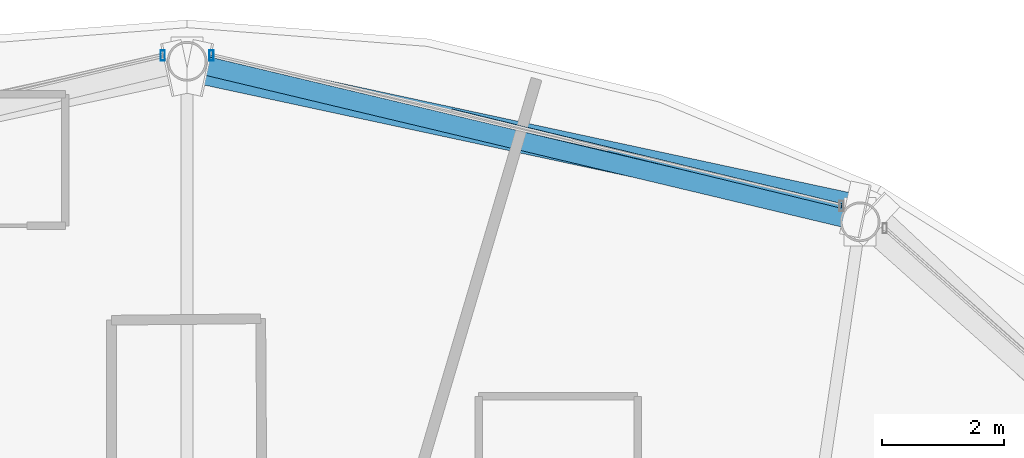
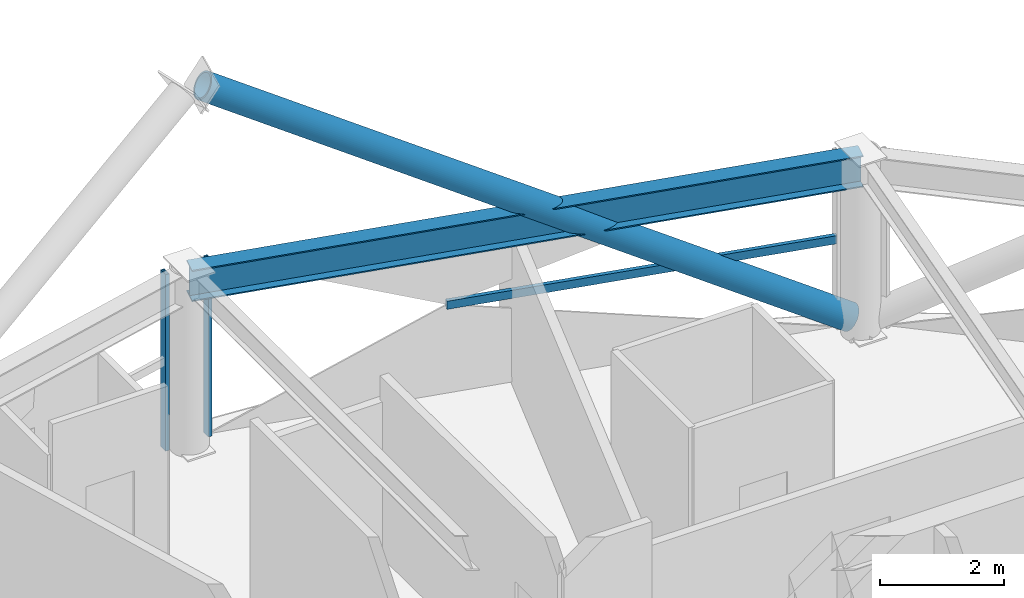
# One storey, part 18 of 29: 4 members, 1 beam, 2 elements without a shape of their own.
"""IFC4 building model written with IfcOpenShell, lengths in metres."""

from ifc_helpers import new_model, si_unit, direction, frame, origin, origin_2d, place, context, subcontext, project, spatial, hollow_rectangle, hollow_circle, i_section, extrude, material, layer, layer_set, material_profile, profile_set, type_object, element, aggregate, save


model = new_model("IFC4")

# Units and contexts
model_context = context("Model", 3, precision=1e-05, world=origin(), true_north=direction((0.0, 1.0)))
body_context = subcontext(model_context, "Body", "Model", "MODEL_VIEW")
ifc_project = project(units=[si_unit("LENGTHUNIT", "METRE"), si_unit("AREAUNIT", "SQUARE_METRE"), si_unit("VOLUMEUNIT", "CUBIC_METRE"), si_unit("PLANEANGLEUNIT", "RADIAN"), si_unit("MASSUNIT", "GRAM", prefix="KILO")], contexts=[model_context])

# Site, building, storey
site_placement = place(None, origin())
site = spatial("IfcSite", under=ifc_project, at=site_placement, CompositionType="ELEMENT")
building_placement = place(site_placement, origin())
building = spatial("IfcBuilding", under=site, at=building_placement, Name="Vantalir Tower", CompositionType="ELEMENT")
storey_placement = place(building_placement, frame((0.0, 0.0, 227.39990234375)))
storey = spatial("IfcBuildingStorey", under=building, at=storey_placement, Name="L57", CompositionType="ELEMENT", Elevation=227.39990234375)

# Beam
ifc_material_1 = material(Name="Steel S460", Category="steel")
ifc_material_profile_1 = material_profile(ifc_material_1, i_section(OverallWidth=0.306884765625, OverallDepth=0.6201171875, WebThickness=0.01416015625, FlangeThickness=0.023681640625, at=origin_2d()), Name="Steel S460")
ifc_profile_set_1 = profile_set([ifc_material_profile_1], Name="Steel S460")
beam_type = type_object("IfcBeamType", Name="BM-RG-610x305", PredefinedType="USERDEFINED", material=ifc_profile_set_1)
beam_placement = place(storey_placement, frame((42.506103515625, 41.970947265625, 3.260009765625), z_axis=(-0.972716546071, 0.231996812479, 0.0), x_axis=(-0.231996812479, -0.972716546071, 0.0)))
element("IfcBeam", 1, at=beam_placement, inside=storey, type_object=beam_type, Name="L57 Circumferential Ring Girder 03", ObjectType="GIRDER", PredefinedType="USERDEFINED", context=body_context, shape_type="SweptSolid", body=[
    extrude(i_section(OverallWidth=0.306884765625, OverallDepth=0.6201171875, WebThickness=0.01416015625, FlangeThickness=0.023681640625, at=origin_2d()), origin(), (0.0, 0.0, 1.0), 11.314697265625),
])

# Curtain wall, member
ifc_material_2 = material(Name="Champagne-silver PVDF aluminium and double-silver Low-E glass", Category="aluminium")
ifc_layer = layer(ifc_material_2, 0.2099609375)
ifc_layer_set = layer_set([ifc_layer], Name="Champagne-silver PVDF aluminium and double-silver Low-E glass")
curtain_wall_type = type_object("IfcCurtainWallType", Name="CW-DIAMOND-Z3", PredefinedType="USERDEFINED", material=ifc_layer_set)
curtain_wall_1_placement = place(storey_placement, origin())
curtain_wall_1 = element("IfcCurtainWall", 2, at=curtain_wall_1_placement, inside=storey, type_object=curtain_wall_type, Name="L57 Quilted Pyramid-Diamond Curtain Wall S03", ObjectType="UNITISED CURTAIN WALL", PredefinedType="USERDEFINED")
ifc_material_3 = material(Name="Champagne-silver PVDF aluminium 6063-T6", Category="aluminium")
ifc_material_profile_2 = material_profile(ifc_material_3, hollow_rectangle(XDim=0.070068359375, YDim=0.1650390625, WallThickness=0.00390625, at=origin_2d()), Name="Champagne-silver PVDF aluminium 6063-T6")
ifc_profile_set_2 = profile_set([ifc_material_profile_2], Name="Champagne-silver PVDF aluminium 6063-T6")
member_type_1 = type_object("IfcMemberType", Name="CWM-165x70", PredefinedType="MULLION", material=ifc_profile_set_2)
member_1_placement = place(storey_placement, frame((31.89892578125, 44.69091796875, 0.045166015625), z_axis=(0.0, 0.0, 1.0), x_axis=(1.0, 0.0, 0.0)))
member_1 = element("IfcMember", 3, at=member_1_placement, type_object=member_type_1, Name="CW-L57-S03 Mullion 2", PredefinedType="MULLION", context=body_context, shape_type="SweptSolid", body=[
    extrude(hollow_rectangle(XDim=0.070068359375, YDim=0.1650390625, WallThickness=0.00390625, at=origin_2d()), origin(), (0.0, 0.0, 1.0), 3.47998046875),
])

curtain_wall_2_placement = place(storey_placement, origin())
curtain_wall_2 = element("IfcCurtainWall", 4, at=curtain_wall_2_placement, inside=storey, type_object=curtain_wall_type, Name="L57 Quilted Pyramid-Diamond Curtain Wall S04", ObjectType="UNITISED CURTAIN WALL", PredefinedType="USERDEFINED")
member_2_placement = place(storey_placement, frame((31.10107421875, 44.69091796875, 0.045166015625), z_axis=(0.0, 0.0, 1.0), x_axis=(1.0, 0.0, 0.0)))
member_2 = element("IfcMember", 5, at=member_2_placement, type_object=member_type_1, Name="CW-L57-S04 Mullion 1", PredefinedType="MULLION", context=body_context, shape_type="SweptSolid", body=[
    extrude(hollow_rectangle(XDim=0.070068359375, YDim=0.1650390625, WallThickness=0.00390625, at=origin_2d()), origin(), (0.0, 0.0, 1.0), 3.47998046875),
])
aggregate(curtain_wall_2, [member_2])

# Member
ifc_material_profile_3 = material_profile(ifc_material_3, hollow_rectangle(XDim=0.074951171875, YDim=0.159912109375, WallThickness=0.00390625, at=origin_2d()), Name="Champagne-silver PVDF aluminium 6063-T6")
ifc_profile_set_3 = profile_set([ifc_material_profile_3], Name="Champagne-silver PVDF aluminium 6063-T6")
member_type_2 = type_object("IfcMemberType", Name="CWT-160x75", PredefinedType="USERDEFINED", material=ifc_profile_set_3)
member_3_placement = place(storey_placement, frame((42.202880859375, 42.22998046875, 1.78515625), z_axis=(-0.971789982032, 0.235847897643, 0.0), x_axis=(-0.235847897643, -0.971789982032, 0.0)))
member_3 = element("IfcMember", 6, at=member_3_placement, type_object=member_type_2, Name="CW-L57-S03 Pyramid Fold Ridge Transom", ObjectType="TRANSOM", PredefinedType="USERDEFINED", context=body_context, shape_type="SweptSolid", body=[
    extrude(hollow_rectangle(XDim=0.074951171875, YDim=0.159912109375, WallThickness=0.00390625, at=origin_2d()), origin(), (0.0, 0.0, 1.0), 6.568115234375),
])

aggregate(curtain_wall_1, [member_1, member_3])

ifc_material_profile_4 = material_profile(ifc_material_1, hollow_circle(Radius=0.25, WallThickness=0.031982421875, at=origin_2d()), Name="Steel S460")
ifc_profile_set_4 = profile_set([ifc_material_profile_4], Name="Steel S460")
member_type_3 = type_object("IfcMemberType", Name="MEM-DB-500x32", PredefinedType="BRACE", material=ifc_profile_set_4)
member_4_placement = place(storey_placement, frame((42.419921875, 42.174072265625, 0.197021484375), z_axis=(-0.826956333231, 0.177883133681, 0.533386176874), x_axis=(-0.210295606502, -0.977637845977, 0.0)))
element("IfcMember", 7, at=member_4_placement, inside=storey, type_object=member_type_3, Name="L57 Perimeter S460 Diagrid Brace R07L", PredefinedType="BRACE", context=body_context, shape_type="SweptSolid", body=[
    extrude(hollow_circle(Radius=0.25, WallThickness=0.031982421875, at=origin_2d()), origin(), (0.0, 0.0, 1.0), 12.985107421875),
])

save(model, "model.ifc")
